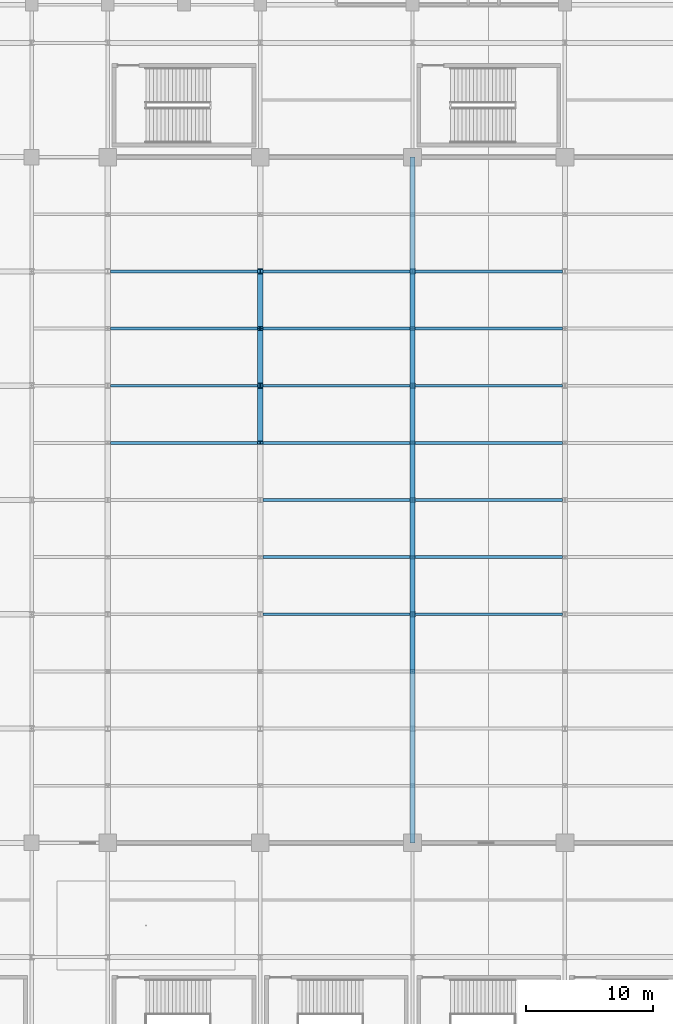
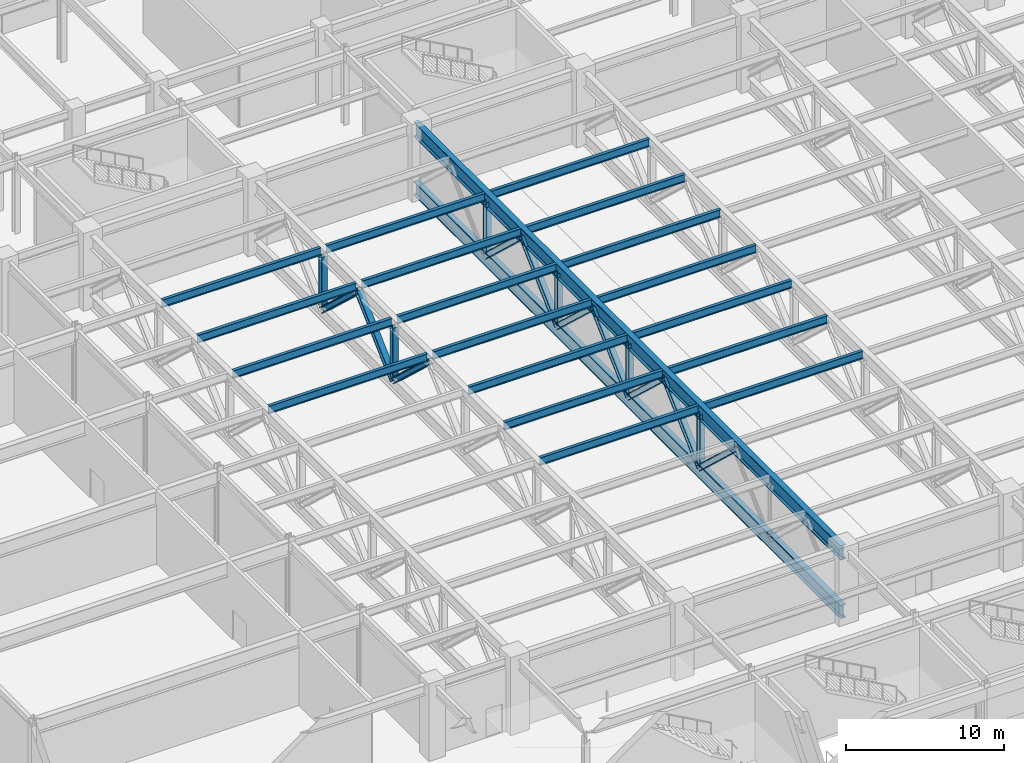
# One storey, part 28 of 108: 19 beams, 17 members.
"""IFC4 building model written with IfcOpenShell, lengths in metres."""

from ifc_helpers import new_model, si_unit, direction, frame, origin, origin_2d, place, context, subcontext, project, spatial, i_section, extrude, material, material_profile, profile_set, type_object, element, save


model = new_model("IFC4")

# Units and contexts
model_context = context("Model", 3, precision=1e-05, world=origin(), true_north=direction((0.0, 1.0)))
body_context = subcontext(model_context, "Body", "Model", "MODEL_VIEW")
ifc_project = project(units=[si_unit("LENGTHUNIT", "METRE"), si_unit("AREAUNIT", "SQUARE_METRE"), si_unit("VOLUMEUNIT", "CUBIC_METRE"), si_unit("PLANEANGLEUNIT", "RADIAN"), si_unit("MASSUNIT", "GRAM", prefix="KILO")], contexts=[model_context])

# Site, building, storey
site_placement = place(None, origin())
site = spatial("IfcSite", under=ifc_project, at=site_placement, CompositionType="ELEMENT")
building_placement = place(site_placement, origin())
building = spatial("IfcBuilding", under=site, at=building_placement, Name="Kaldorvane Square Convention Centre", CompositionType="ELEMENT")
storey_placement = place(building_placement, frame((0.0, 0.0, 12.0)))
storey = spatial("IfcBuildingStorey", under=building, at=storey_placement, Name="L02", CompositionType="ELEMENT", Elevation=12.0)

# Beams
ifc_material = material(Name="Steel ASTM A992 Gr. 50", Category="steel")
ifc_material_profile_1 = material_profile(ifc_material, i_section(OverallWidth=0.2277069091796875, OverallDepth=0.6027069091796875, WebThickness=0.010498046875, FlangeThickness=0.014892578125, FilletRadius=0.0126953125, at=origin_2d()), Name="W24X68")
ifc_profile_set_1 = profile_set([ifc_material_profile_1], Name="Steel ASTM A992 Gr. 50")
beam_type_1 = type_object("IfcBeamType", Name="BM-JS-W24X68", PredefinedType="JOIST", material=ifc_profile_set_1)
for number, where, z_axis, x_axis, name in (
    (1, (30.204803466796875, 49.5, 5.3446044921875), (1.0, 0.0, 0.0), (0.0, 1.0, 0.0), "Hall Composite Floor Joist (L02)"),
    (2, (30.204803466796875, 54.0, 5.3446044921875), (1.0, 0.0, 0.0), (0.0, 1.0, 0.0), "Hall Composite Floor Joist (L02)"),
    (3, (30.204803466796875, 58.5, 5.3446044921875), (1.0, 0.0, 0.0), (0.0, 1.0, 0.0), "Hall Composite Floor Joist (L02)"),
    (4, (30.204803466796875, 63.0, 5.3446044921875), (1.0, 0.0, 0.0), (0.0, 1.0, 0.0), "Hall Composite Floor Joist (L02)"),
):
    element("IfcBeam", number, at=place(storey_placement, frame(where, z_axis=z_axis, x_axis=x_axis)), inside=storey, type_object=beam_type_1, Name=name, PredefinedType="JOIST", context=body_context, shape_type="SweptSolid", body=[
        extrude(i_section(OverallWidth=0.2277069091796875, OverallDepth=0.6027069091796875, WebThickness=0.010498046875, FlangeThickness=0.014892578125, FilletRadius=0.0126953125, at=origin_2d()), origin(), (0.0, 0.0, 1.0), 11.59039306640625),
    ])
for number, where, z_axis, x_axis, name in (
    (5, (42.204803466796875, 36.0, 5.3446044921875), (1.0, 0.0, 0.0), (0.0, 1.0, 0.0), "Hall Composite Floor Joist (L02)"),
    (6, (42.204803466796875, 40.5, 5.3446044921875), (1.0, 0.0, 0.0), (0.0, 1.0, 0.0), "Hall Composite Floor Joist (L02)"),
    (7, (42.204803466796875, 45.0, 5.3446044921875), (1.0, 0.0, 0.0), (0.0, 1.0, 0.0), "Hall Composite Floor Joist (L02)"),
    (8, (42.204803466796875, 49.5, 5.3446044921875), (1.0, 0.0, 0.0), (0.0, 1.0, 0.0), "Hall Composite Floor Joist (L02)"),
    (9, (42.204803466796875, 54.0, 5.3446044921875), (1.0, 0.0, 0.0), (0.0, 1.0, 0.0), "Hall Composite Floor Joist (L02)"),
    (10, (42.204803466796875, 58.5, 5.3446044921875), (1.0, 0.0, 0.0), (0.0, 1.0, 0.0), "Hall Composite Floor Joist (L02)"),
    (11, (42.204803466796875, 63.0, 5.3446044921875), (1.0, 0.0, 0.0), (0.0, 1.0, 0.0), "Hall Composite Floor Joist (L02)"),
):
    element("IfcBeam", number, at=place(storey_placement, frame(where, z_axis=z_axis, x_axis=x_axis)), inside=storey, type_object=beam_type_1, Name=name, PredefinedType="JOIST", context=body_context, shape_type="SweptSolid", body=[
        extrude(i_section(OverallWidth=0.2277069091796875, OverallDepth=0.6027069091796875, WebThickness=0.010498046875, FlangeThickness=0.014892578125, FilletRadius=0.0126953125, at=origin_2d()), origin(), (0.0, 0.0, 1.0), 11.592697143554688),
    ])
for number, where, z_axis, x_axis, name in (
    (12, (54.20249938964844, 36.0, 5.3446044921875), (1.0, 0.0, 0.0), (0.0, 1.0, 0.0), "Hall Composite Floor Joist (L02)"),
    (13, (54.20249938964844, 40.5, 5.3446044921875), (1.0, 0.0, 0.0), (0.0, 1.0, 0.0), "Hall Composite Floor Joist (L02)"),
    (14, (54.20249938964844, 45.0, 5.3446044921875), (1.0, 0.0, 0.0), (0.0, 1.0, 0.0), "Hall Composite Floor Joist (L02)"),
    (15, (54.20249938964844, 49.5, 5.3446044921875), (1.0, 0.0, 0.0), (0.0, 1.0, 0.0), "Hall Composite Floor Joist (L02)"),
    (16, (54.20249938964844, 54.0, 5.3446044921875), (1.0, 0.0, 0.0), (0.0, 1.0, 0.0), "Hall Composite Floor Joist (L02)"),
    (17, (54.20249938964844, 58.5, 5.3446044921875), (1.0, 0.0, 0.0), (0.0, 1.0, 0.0), "Hall Composite Floor Joist (L02)"),
    (18, (54.20249938964844, 63.0, 5.3446044921875), (1.0, 0.0, 0.0), (0.0, 1.0, 0.0), "Hall Composite Floor Joist (L02)"),
):
    element("IfcBeam", number, at=place(storey_placement, frame(where, z_axis=z_axis, x_axis=x_axis)), inside=storey, type_object=beam_type_1, Name=name, PredefinedType="JOIST", context=body_context, shape_type="SweptSolid", body=[
        extrude(i_section(OverallWidth=0.2277069091796875, OverallDepth=0.6027069091796875, WebThickness=0.010498046875, FlangeThickness=0.014892578125, FilletRadius=0.0126953125, at=origin_2d()), origin(), (0.0, 0.0, 1.0), 11.595001220703125),
    ])
ifc_material_profile_2 = material_profile(ifc_material, i_section(OverallWidth=0.404998779296875, OverallDepth=1.1179962158203125, WebThickness=0.0261993408203125, FlangeThickness=0.0449981689453125, FilletRadius=0.0254058837890625, at=origin_2d()), Name="W44X335")
ifc_profile_set_2 = profile_set([ifc_material_profile_2], Name="Steel ASTM A992 Gr. 50")
beam_type_2 = type_object("IfcBeamType", Name="BM-TG-W44X335", PredefinedType="USERDEFINED", material=ifc_profile_set_2)
beam_placement = place(storey_placement, frame((54.0, 18.0, 5.087005615234375), z_axis=(0.0, 1.0, 0.0), x_axis=(-1.0, 0.0, 0.0)))
element("IfcBeam", 19, at=beam_placement, inside=storey, type_object=beam_type_2, Name="Transfer Truss TT-03 Top Chord", ObjectType="TRANSFER GIRDER", PredefinedType="USERDEFINED", context=body_context, shape_type="SweptSolid", body=[
    extrude(i_section(OverallWidth=0.404998779296875, OverallDepth=1.1179962158203125, WebThickness=0.0261993408203125, FlangeThickness=0.0449981689453125, FilletRadius=0.0254058837890625, at=origin_2d()), origin(), (0.0, 0.0, 1.0), 54.0),
])

# Members
ifc_material_profile_3 = material_profile(ifc_material, i_section(OverallWidth=0.4062957763671875, OverallDepth=0.416107177734375, WebThickness=0.0298004150390625, FlangeThickness=0.048004150390625, FilletRadius=0.0305023193359375, at=origin_2d()), Name="W14X257")
ifc_profile_set_3 = profile_set([ifc_material_profile_3], Name="Steel ASTM A992 Gr. 50")
member_type_1 = type_object("IfcMemberType", Name="MB-BR-W14X257", PredefinedType="BRACE", material=ifc_profile_set_3)
for number, where, z_axis, x_axis, name in (
    (20, (42.0, 49.5, 4.92529296875), (0.0, 0.731436442842, -0.681909620172), (-1.0, 0.0, 0.0), "Transfer Truss TT-02 Web Diagonal 4B"),
    (21, (54.0, 36.0, 0.7299957275390625), (0.0, 0.731436442842, 0.681909620172), (-1.0, 0.0, 0.0), "Transfer Truss TT-03 Web Diagonal 3A"),
    (22, (54.0, 40.5, 4.92529296875), (0.0, 0.731436442842, -0.681909620172), (-1.0, 0.0, 0.0), "Transfer Truss TT-03 Web Diagonal 3B"),
    (23, (54.0, 45.0, 0.7299957275390625), (0.0, 0.731436442842, 0.681909620172), (-1.0, 0.0, 0.0), "Transfer Truss TT-03 Web Diagonal 4A"),
    (24, (54.0, 49.5, 4.92529296875), (0.0, 0.731436442842, -0.681909620172), (-1.0, 0.0, 0.0), "Transfer Truss TT-03 Web Diagonal 4B"),
):
    element("IfcMember", number, at=place(storey_placement, frame(where, z_axis=z_axis, x_axis=x_axis)), inside=storey, type_object=member_type_1, Name=name, PredefinedType="BRACE", context=body_context, shape_type="SweptSolid", body=[
        extrude(i_section(OverallWidth=0.4062957763671875, OverallDepth=0.416107177734375, WebThickness=0.0298004150390625, FlangeThickness=0.048004150390625, FilletRadius=0.0305023193359375, at=origin_2d()), origin(), (0.0, 0.0, 1.0), 6.15228271484375),
    ])
ifc_material_profile_4 = material_profile(ifc_material, i_section(OverallWidth=0.412200927734375, OverallDepth=0.4347991943359375, WebThickness=0.035797119140625, FlangeThickness=0.057403564453125, FilletRadius=0.0305023193359375, at=origin_2d()), Name="W14X311")
ifc_profile_set_4 = profile_set([ifc_material_profile_4], Name="Steel ASTM A992 Gr. 50")
member_type_2 = type_object("IfcMemberType", Name="MB-BR-W14X311", PredefinedType="BRACE", material=ifc_profile_set_4)
for number, where, z_axis, x_axis, name in (
    (25, (42.0, 54.0, 0.7299957275390625), (0.0, 0.731436442842, 0.681909620172), (-1.0, 0.0, 0.0), "Transfer Truss TT-02 Web Diagonal 5A"),
    (26, (42.0, 58.5, 4.92529296875), (0.0, 0.731436442842, -0.681909620172), (-1.0, 0.0, 0.0), "Transfer Truss TT-02 Web Diagonal 5B"),
    (27, (54.0, 31.5, 4.92529296875), (0.0, 0.731436442842, -0.681909620172), (-1.0, 0.0, 0.0), "Transfer Truss TT-03 Web Diagonal 2B"),
    (28, (54.0, 54.0, 0.7299957275390625), (0.0, 0.731436442842, 0.681909620172), (-1.0, 0.0, 0.0), "Transfer Truss TT-03 Web Diagonal 5A"),
    (29, (54.0, 58.5, 4.92529296875), (0.0, 0.731436442842, -0.681909620172), (-1.0, 0.0, 0.0), "Transfer Truss TT-03 Web Diagonal 5B"),
):
    element("IfcMember", number, at=place(storey_placement, frame(where, z_axis=z_axis, x_axis=x_axis)), inside=storey, type_object=member_type_2, Name=name, PredefinedType="BRACE", context=body_context, shape_type="SweptSolid", body=[
        extrude(i_section(OverallWidth=0.412200927734375, OverallDepth=0.4347991943359375, WebThickness=0.035797119140625, FlangeThickness=0.057403564453125, FilletRadius=0.0305023193359375, at=origin_2d()), origin(), (0.0, 0.0, 1.0), 6.15228271484375),
    ])
ifc_material_profile_5 = material_profile(ifc_material, i_section(OverallWidth=0.40960693359375, OverallDepth=1.0413970947265625, WebThickness=0.031005859375, FlangeThickness=0.0558929443359375, FilletRadius=0.0305023193359375, at=origin_2d()), Name="W40X397")
ifc_profile_set_5 = profile_set([ifc_material_profile_5], Name="Steel ASTM A992 Gr. 50")
member_type_3 = type_object("IfcMemberType", Name="MB-CH-W40X397", PredefinedType="CHORD", material=ifc_profile_set_5)
member_placement = place(storey_placement, frame((54.0, 18.0, 0.529998779296875), z_axis=(0.0, 1.0, 0.0), x_axis=(-1.0, 0.0, 0.0)))
element("IfcMember", 30, at=member_placement, inside=storey, type_object=member_type_3, Name="Transfer Truss TT-03 Bottom Chord", PredefinedType="CHORD", context=body_context, shape_type="SweptSolid", body=[
    extrude(i_section(OverallWidth=0.40960693359375, OverallDepth=1.0413970947265625, WebThickness=0.031005859375, FlangeThickness=0.0558929443359375, FilletRadius=0.0305023193359375, at=origin_2d()), origin(), (0.0, 0.0, 1.0), 54.0),
])
ifc_material_profile_6 = material_profile(ifc_material, i_section(OverallWidth=0.3990020751953125, OverallDepth=0.3932037353515625, WebThickness=0.0225982666015625, FlangeThickness=0.0366058349609375, FilletRadius=0.0305023193359375, at=origin_2d()), Name="W14X193")
ifc_profile_set_6 = profile_set([ifc_material_profile_6], Name="Steel ASTM A992 Gr. 50")
member_type_4 = type_object("IfcMemberType", Name="MB-PS-W14X193", PredefinedType="POST", material=ifc_profile_set_6)
for number, where, z_axis, x_axis, name in (
    (31, (42.0, 54.0, 1.0099945068359375), (0.0, 0.0, 1.0), (1.0, 0.0, 0.0), "Transfer Truss TT-02 Vertical Post 4"),
    (32, (42.0, 63.0, 1.0099945068359375), (0.0, 0.0, 1.0), (1.0, 0.0, 0.0), "Transfer Truss TT-02 Vertical Post 5"),
    (33, (54.0, 36.0, 1.0099945068359375), (0.0, 0.0, 1.0), (1.0, 0.0, 0.0), "Transfer Truss TT-03 Vertical Post 2"),
    (34, (54.0, 45.0, 1.0099945068359375), (0.0, 0.0, 1.0), (1.0, 0.0, 0.0), "Transfer Truss TT-03 Vertical Post 3"),
    (35, (54.0, 54.0, 1.0099945068359375), (0.0, 0.0, 1.0), (1.0, 0.0, 0.0), "Transfer Truss TT-03 Vertical Post 4"),
    (36, (54.0, 63.0, 1.0099945068359375), (0.0, 0.0, 1.0), (1.0, 0.0, 0.0), "Transfer Truss TT-03 Vertical Post 5"),
):
    element("IfcMember", number, at=place(storey_placement, frame(where, z_axis=z_axis, x_axis=x_axis)), inside=storey, type_object=member_type_4, Name=name, PredefinedType="POST", context=body_context, shape_type="SweptSolid", body=[
        extrude(i_section(OverallWidth=0.3990020751953125, OverallDepth=0.3932037353515625, WebThickness=0.0225982666015625, FlangeThickness=0.0366058349609375, FilletRadius=0.0305023193359375, at=origin_2d()), origin(), (0.0, 0.0, 1.0), 3.9152984619140625),
    ])

save(model, "model.ifc")
